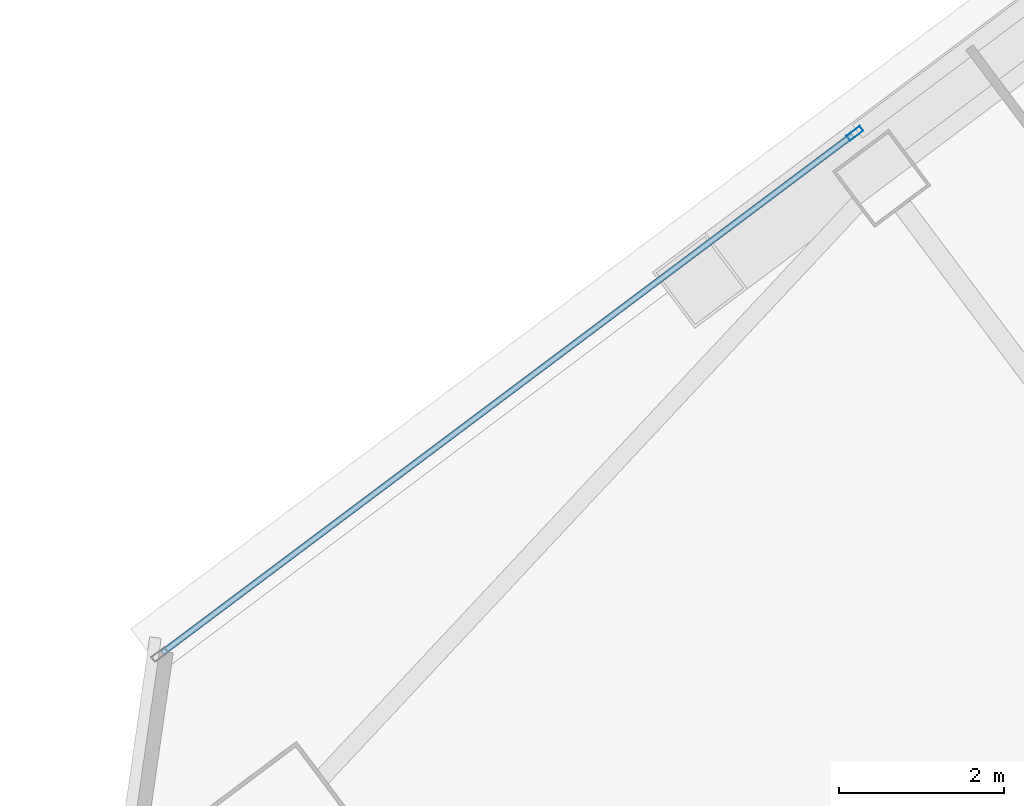
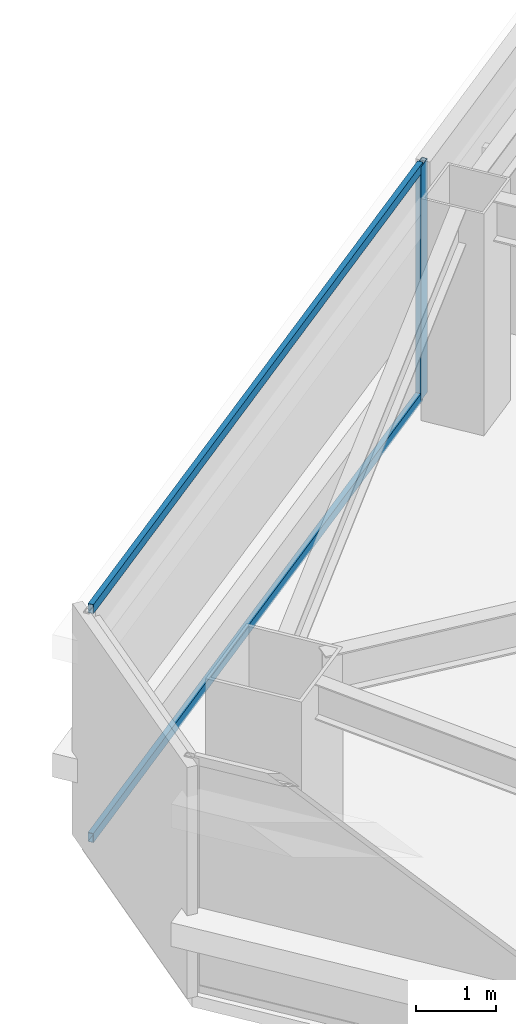
# One storey, part 33 of 50: 3 members, 1 element without a shape of its own.
"""IFC4 building model written with IfcOpenShell, lengths in metres."""

import ifcopenshell
import ifcopenshell.guid

model = None  # the IFC model being written
_history = None  # IfcOwnerHistory: only IFC2X3 demands one
_inside = {}  # id of a spatial element -> (the spatial element, [elements in it])
_under = {}  # id of a project, library or spatial element -> (it, [spatial elements below it])
_declared = {}  # id of a project -> (the project, [libraries it declares])
_typed = {}  # id of a type object -> (the type object, [elements of that type])
_made_of = {}  # id of a material, layer set ... -> (it, [elements and type objects made of it])


def new_model(schema):
    """Start an empty IFC model of exactly this schema.

    Asked for "IFC4X3", IfcOpenShell would pick the latest addendum, in which some entities
    have other attributes; the version numbers below select the first issue.
    IFC2X3 requires an IfcOwnerHistory on every rooted entity: one is made here for all.
    """
    global model, _history
    if schema == "IFC4X3":
        model = ifcopenshell.file(schema_version=(4, 3, 0, 0))
    else:
        model = ifcopenshell.file(schema=schema)
    _inside.clear()
    _under.clear()
    _declared.clear()
    _typed.clear()
    _made_of.clear()
    _history = None
    if model.schema == "IFC2X3":
        org = make("IfcOrganization", Name="unknown")
        user = make(
            "IfcPersonAndOrganization",
            ThePerson=make("IfcPerson", FamilyName="unknown"),
            TheOrganization=org,
        )
        app = make(
            "IfcApplication",
            ApplicationDeveloper=org,
            Version="unknown",
            ApplicationFullName="unknown",
            ApplicationIdentifier="unknown",
        )
        _history = make(
            "IfcOwnerHistory",
            OwningUser=user,
            OwningApplication=app,
            ChangeAction="ADDED",
            CreationDate=0,
        )
    return model


def make(cls, **values):
    """One entity of the class cls with the attributes given. An attribute that is None is left unset."""
    return model.create_entity(
        cls, **{name: value for name, value in values.items() if value is not None}
    )


def rooted(cls, **values):
    """An entity with a GlobalId (a new one), such as an element, a storey or a relation."""
    return make(cls, GlobalId=ifcopenshell.guid.new(), OwnerHistory=_history, **values)


def si_unit(unit_type, name, prefix=None):
    """IfcSIUnit, for example si_unit("LENGTHUNIT", "METRE", prefix="MILLI")."""
    return make("IfcSIUnit", UnitType=unit_type, Prefix=prefix, Name=name)


def assignment(units):
    """IfcUnitAssignment: the units of a project."""
    return None if units is None else make("IfcUnitAssignment", Units=units)


def point(xyz):
    """IfcCartesianPoint."""
    return None if xyz is None else make("IfcCartesianPoint", Coordinates=xyz)


def direction(xyz):
    """IfcDirection."""
    return None if xyz is None else make("IfcDirection", DirectionRatios=xyz)


def frame(location, z_axis=None, x_axis=None):
    """IfcAxis2Placement3D, a coordinate frame: its origin and axes. An axis left out is left unset."""
    return make(
        "IfcAxis2Placement3D",
        Location=point(location),
        Axis=direction(z_axis),
        RefDirection=direction(x_axis),
    )


def frame_2d(location, x_axis=None):
    """IfcAxis2Placement2D, a coordinate frame in the plane: its origin and x axis."""
    return make(
        "IfcAxis2Placement2D", Location=point(location), RefDirection=direction(x_axis)
    )


def origin():
    """The frame at (0, 0, 0) with its axes left unset."""
    return frame((0.0, 0.0, 0.0))


def origin_2d():
    """The frame at (0, 0) in the plane with its x axis left unset."""
    return frame_2d((0.0, 0.0))


def place(relative_to, where):
    """IfcLocalPlacement: puts the frame where relative to a parent placement (None: the world)."""
    return make(
        "IfcLocalPlacement", PlacementRelTo=relative_to, RelativePlacement=where
    )


def context(
    kind, dimensions, precision=None, world=None, true_north=None, identifier=None
):
    """IfcGeometricRepresentationContext, for example the 3D "Model" context."""
    return make(
        "IfcGeometricRepresentationContext",
        ContextIdentifier=identifier,
        ContextType=kind,
        CoordinateSpaceDimension=dimensions,
        Precision=precision,
        WorldCoordinateSystem=world,
        TrueNorth=true_north,
    )


def subcontext(parent, identifier, kind, view, scale=None):
    """IfcGeometricRepresentationSubContext, for example "Body" below "Model"."""
    return make(
        "IfcGeometricRepresentationSubContext",
        ContextIdentifier=identifier,
        ContextType=kind,
        ParentContext=parent,
        TargetScale=scale,
        TargetView=view,
    )


def project(units=None, contexts=None):
    """IfcProject with its units and contexts."""
    return rooted(
        "IfcProject",
        Name="project",
        RepresentationContexts=contexts,
        UnitsInContext=assignment(units),
    )


def spatial(cls, under=None, at=None, **own):
    """A site, building, storey or space (cls), placed at a placement, below another one or the project."""
    s = rooted(cls, ObjectPlacement=at, **own)
    if under is not None:
        _under.setdefault(under.id(), (under, []))[1].append(s)
    return s


def profile(cls, at=None, kind="AREA", **sizes):
    """A parametric profile (cls). Its sizes go by their IFC names, for example OverallWidth=200.0."""
    return make(cls, ProfileType=kind, Position=at, **sizes)


def hollow_rectangle(**sizes):
    """IfcRectangleHollowProfileDef."""
    return profile("IfcRectangleHollowProfileDef", **sizes)


def extrude(swept, where, along, depth):
    """IfcExtrudedAreaSolid: the profile swept, set in the frame where, extruded along a direction by depth."""
    return make(
        "IfcExtrudedAreaSolid",
        SweptArea=swept,
        Position=where,
        ExtrudedDirection=direction(along),
        Depth=depth,
    )


def shape(context_of_items, identifier, shape_type, items):
    """IfcShapeRepresentation: the items that make up one representation, for example the "Body"."""
    return make(
        "IfcShapeRepresentation",
        ContextOfItems=context_of_items,
        RepresentationIdentifier=identifier,
        RepresentationType=shape_type,
        Items=items,
    )


def material(Name=None, Category=None):
    """IfcMaterial."""
    return make("IfcMaterial", Name=Name, Category=Category)


def material_profile(
    of_material, cross_section, Name=None, Category=None, Priority=None
):
    """IfcMaterialProfile: a cross section and its material."""
    return make(
        "IfcMaterialProfile",
        Name=Name,
        Material=of_material,
        Profile=cross_section,
        Priority=Priority,
        Category=Category,
    )


def profile_set(profiles, Name=None, composite=None):
    """IfcMaterialProfileSet."""
    return make(
        "IfcMaterialProfileSet",
        Name=Name,
        MaterialProfiles=profiles,
        CompositeProfile=composite,
    )


def made_of(thing, what):
    """Note that an element or type object is made of a material, layer set ...; save() writes the relation."""
    if what is not None:
        _made_of.setdefault(what.id(), (what, []))[1].append(thing)
    return thing


def type_object(cls, material=None, **own):
    """A type object (cls), such as IfcWallType, which elements share."""
    return made_of(rooted(cls, **own), material)


def element(
    cls,
    number,
    at=None,
    inside=None,
    cuts=None,
    type_object=None,
    material=None,
    context=None,
    identifier="Body",
    shape_type=None,
    held_by="IfcProductDefinitionShape",
    body=None,
    shapes=None,
    **own,
):
    """One element of the class cls, such as IfcWall. Its Tag is "e" and its number.

    at: its placement. inside: the storey or other place that contains it. cuts: it is an
    opening in that element (IfcRelVoidsElement). A single representation is given by context,
    identifier, shape_type and body (its items); several are given by shapes. held_by: the class
    of the entity that holds the representations. save() writes the other relations.
    """
    e = rooted(cls, Tag="e%d" % number, ObjectPlacement=at, **own)
    if body is not None:
        shapes = [shape(context, identifier, shape_type, body)]
    if shapes is not None:
        e.Representation = make(held_by, Representations=shapes)
    if inside is not None:
        _inside.setdefault(inside.id(), (inside, []))[1].append(e)
    if cuts is not None:
        rooted(
            "IfcRelVoidsElement", RelatingBuildingElement=cuts, RelatedOpeningElement=e
        )
    if type_object is not None:
        _typed.setdefault(type_object.id(), (type_object, []))[1].append(e)
    return made_of(e, material)


def aggregate(whole, parts):
    """IfcRelAggregates: a whole, such as a stair, and the parts it consists of."""
    return rooted("IfcRelAggregates", RelatingObject=whole, RelatedObjects=parts)


def save(model, path):
    """Write the relations noted so far, then the file.

    IfcRelAggregates (storeys below a building ...), IfcRelContainedInSpatialStructure (elements
    in a storey), IfcRelDefinesByType, IfcRelAssociatesMaterial and IfcRelDeclares: one each for
    every whole, place, type object, material and project.
    """
    for whole, parts in _under.values():
        aggregate(whole, parts)
    for where, things in _inside.values():
        rooted(
            "IfcRelContainedInSpatialStructure",
            RelatedElements=things,
            RelatingStructure=where,
        )
    for kind, things in _typed.values():
        rooted("IfcRelDefinesByType", RelatedObjects=things, RelatingType=kind)
    for what, things in _made_of.values():
        rooted("IfcRelAssociatesMaterial", RelatedObjects=things, RelatingMaterial=what)
    for by, libraries in _declared.values():
        rooted("IfcRelDeclares", RelatingContext=by, RelatedDefinitions=libraries)
    model.write(path)


model = new_model("IFC4")

# Units and contexts
model_context = context("Model", 3, precision=1e-05, world=origin(), true_north=direction((0.0, 1.0)))
body_context = subcontext(model_context, "Body", "Model", "MODEL_VIEW")
ifc_project = project(units=[si_unit("LENGTHUNIT", "METRE"), si_unit("AREAUNIT", "SQUARE_METRE"), si_unit("VOLUMEUNIT", "CUBIC_METRE"), si_unit("PLANEANGLEUNIT", "RADIAN"), si_unit("MASSUNIT", "GRAM", prefix="KILO")], contexts=[model_context])

# Site, building, storey
site_placement = place(None, origin())
site = spatial("IfcSite", under=ifc_project, at=site_placement, CompositionType="ELEMENT")
building_placement = place(site_placement, origin())
building = spatial("IfcBuilding", under=site, at=building_placement, Name="Tashvorn Skyway Center", CompositionType="ELEMENT")
storey_placement = place(building_placement, frame((0.0, 0.0, 114.39990234375)))
storey = spatial("IfcBuildingStorey", under=building, at=storey_placement, Name="L30", CompositionType="ELEMENT", Elevation=114.39990234375)

# Curtain wall, members
ifc_material = material(Name="Thermally broken bronze-anodized aluminium 6063-T6", Category="aluminium")
curtain_wall_type = type_object("IfcCurtainWallType", Name="CW-CW-Z3", PredefinedType="NOTDEFINED", material=ifc_material)
curtain_wall_placement = place(storey_placement, origin())
curtain_wall = element("IfcCurtainWall", 1, at=curtain_wall_placement, inside=storey, type_object=curtain_wall_type, Name="Tower 2 L30 North Unitised Curtain Wall Glazing Group 1", PredefinedType="NOTDEFINED")
ifc_material_profile_1 = material_profile(ifc_material, hollow_rectangle(XDim=0.074951171875, YDim=0.199951171875, WallThickness=0.00439453125, at=origin_2d()), Name="ALU-MULL-75x200")
ifc_profile_set_1 = profile_set([ifc_material_profile_1], Name="Thermally broken bronze-anodized aluminium 6063-T6")
member_type_1 = type_object("IfcMemberType", Name="CWM-CW-Z3", PredefinedType="MULLION", material=ifc_profile_set_1)
member_1_placement = place(storey_placement, frame((98.767333984375, 43.425537109375, 0.0), z_axis=(0.0, 0.0, 1.0), x_axis=(-0.600001511345, 0.799998866489, 0.0)))
member_1 = element("IfcMember", 2, at=member_1_placement, type_object=member_type_1, Name="CW-Z3 mullion 2", PredefinedType="MULLION", context=body_context, shape_type="SweptSolid", body=[
    extrude(hollow_rectangle(XDim=0.074951171875, YDim=0.199951171875, WallThickness=0.00439453125, at=origin_2d()), origin(), (0.0, 0.0, 1.0), 3.550048828125),
])
ifc_material_profile_2 = material_profile(ifc_material, hollow_rectangle(XDim=0.074951171875, YDim=0.139892578125, WallThickness=0.004150390625, at=origin_2d()), Name="ALU-TRAN-75x140")
ifc_profile_set_2 = profile_set([ifc_material_profile_2], Name="Thermally broken bronze-anodized aluminium 6063-T6")
member_type_2 = type_object("IfcMemberType", Name="CWT-CW-Z3", PredefinedType="USERDEFINED", material=ifc_profile_set_2)
member_2_placement = place(storey_placement, frame((90.387939453125, 37.14111328125, 0.03759765625), z_axis=(0.800002807101, 0.599996257181, 0.0), x_axis=(-0.599996257181, 0.800002807101, 0.0)))
member_2 = element("IfcMember", 3, at=member_2_placement, type_object=member_type_2, Name="CW-Z3 transom 1.1", ObjectType="TRANSOM", PredefinedType="USERDEFINED", context=body_context, shape_type="SweptSolid", body=[
    extrude(hollow_rectangle(XDim=0.074951171875, YDim=0.139892578125, WallThickness=0.004150390625, at=origin_2d()), origin(), (0.0, 0.0, 1.0), 10.436767578125),
])
member_3_placement = place(storey_placement, frame((90.387939453125, 37.14111328125, 3.5126953125), z_axis=(0.800002807101, 0.599996257181, 0.0), x_axis=(-0.599996257181, 0.800002807101, 0.0)))
member_3 = element("IfcMember", 4, at=member_3_placement, type_object=member_type_2, Name="CW-Z3 transom 1.2", ObjectType="TRANSOM", PredefinedType="USERDEFINED", context=body_context, shape_type="SweptSolid", body=[
    extrude(hollow_rectangle(XDim=0.074951171875, YDim=0.139892578125, WallThickness=0.004150390625, at=origin_2d()), origin(), (0.0, 0.0, 1.0), 10.436767578125),
])
aggregate(curtain_wall, [member_1, member_2, member_3])

save(model, "model.ifc")
